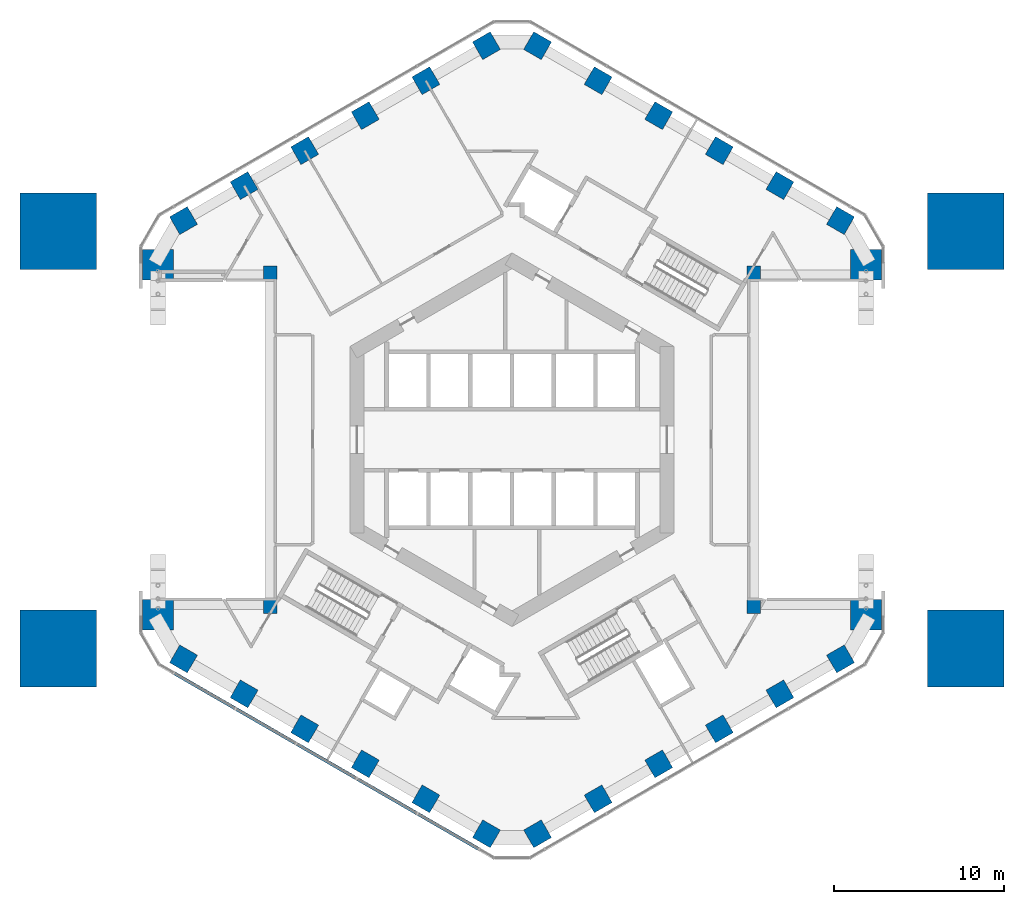
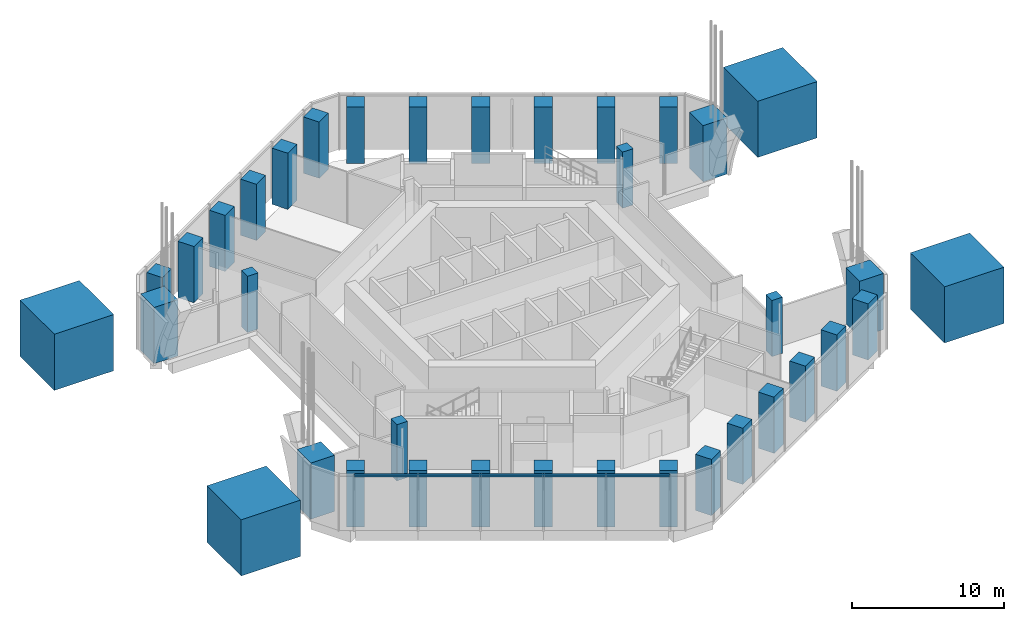
# One storey, part 1 of 14: 36 columns, 1 member, 1 element without a shape of its own.
"""IFC4 building model written with IfcOpenShell, lengths in metres."""

from ifc_helpers import new_model, si_unit, direction, frame, origin, origin_2d, place, context, subcontext, project, spatial, rectangle, extrude, material, layer, layer_set, material_profile, profile_set, type_object, element, aggregate, save


model = new_model("IFC4")

# Units and contexts
model_context = context("Model", 3, precision=1e-05, world=origin(), true_north=direction((0.0, 1.0)))
body_context = subcontext(model_context, "Body", "Model", "MODEL_VIEW")
ifc_project = project(units=[si_unit("LENGTHUNIT", "METRE"), si_unit("AREAUNIT", "SQUARE_METRE"), si_unit("VOLUMEUNIT", "CUBIC_METRE"), si_unit("PLANEANGLEUNIT", "RADIAN"), si_unit("MASSUNIT", "GRAM", prefix="KILO")], contexts=[model_context])

# Site, building, storey
site_placement = place(None, origin())
site = spatial("IfcSite", under=ifc_project, at=site_placement, CompositionType="ELEMENT")
building_placement = place(site_placement, origin())
building = spatial("IfcBuilding", under=site, at=building_placement, Name="Ayvan Gate Tower", CompositionType="ELEMENT")
storey_placement = place(building_placement, frame((0.0, 0.0, 7.0)))
storey = spatial("IfcBuildingStorey", under=building, at=storey_placement, Name="L01", CompositionType="ELEMENT", Elevation=7.0)

# Columns
ifc_material_1 = material(Name="Concrete C70/85", Category="concrete")
ifc_material_profile_1 = material_profile(ifc_material_1, rectangle(XDim=0.800048828125, YDim=0.800048828125, at=origin_2d()), Name="RC 800x800")
ifc_profile_set_1 = profile_set([ifc_material_profile_1], Name="Concrete C70/85")
column_type_1 = type_object("IfcColumnType", Name="Opening jamb column RC 800x800 C70/85", PredefinedType="COLUMN", material=ifc_profile_set_1)
for number, where, z_axis, x_axis, name in (
    (1, (14.199951171875, -9.7978515625, 0.0), (0.0, 0.0, 1.0), (1.0, 0.0, 0.0), "JC-L01-0-A"),
    (2, (14.199951171875, 9.7978515625, 0.0), (0.0, 0.0, 1.0), (1.0, 0.0, 0.0), "JC-L01-0-B"),
    (3, (-14.199951171875, 9.7978515625, 0.0), (0.0, 0.0, 1.0), (-1.0, 0.0, 0.0), "JC-L01-3-A"),
    (4, (-14.199951171875, -9.7978515625, 0.0), (0.0, 0.0, 1.0), (-1.0, 0.0, 0.0), "JC-L01-3-B"),
):
    element("IfcColumn", number, at=place(storey_placement, frame(where, z_axis=z_axis, x_axis=x_axis)), inside=storey, type_object=column_type_1, Name=name, PredefinedType="COLUMN", context=body_context, shape_type="SweptSolid", body=[
        extrude(rectangle(XDim=0.800048828125, YDim=0.800048828125, at=origin_2d()), origin(), (0.0, 0.0, 1.0), 4.5),
    ])
ifc_material_2 = material(Name="Concrete C60/75", Category="concrete")
ifc_material_profile_2 = material_profile(ifc_material_2, rectangle(XDim=4.5, YDim=4.5, at=origin_2d()), Name="RC 4500x4500")
ifc_profile_set_2 = profile_set([ifc_material_profile_2], Name="Concrete C60/75")
column_type_2 = type_object("IfcColumnType", Name="Portal pier RC 4500x4500 C60/75", PredefinedType="COLUMN", material=ifc_profile_set_2)
for number, where, z_axis, x_axis, name in (
    (5, (26.634521484375, 12.25, 0.0), (0.0, 0.0, 1.0), (1.0, 0.0, 0.0), "Portal pier PP-E-N L01"),
    (6, (26.634521484375, -12.25, 0.0), (0.0, 0.0, 1.0), (1.0, 0.0, 0.0), "Portal pier PP-E-S L01"),
    (7, (-26.634521484375, -12.25, 0.0), (0.0, 0.0, 1.0), (-1.0, 0.0, 0.0), "Portal pier PP-W-S L01"),
    (8, (-26.634521484375, 12.25, 0.0), (0.0, 0.0, 1.0), (-1.0, 0.0, 0.0), "Portal pier PP-W-N L01"),
):
    element("IfcColumn", number, at=place(storey_placement, frame(where, z_axis=z_axis, x_axis=x_axis)), inside=storey, type_object=column_type_2, Name=name, PredefinedType="COLUMN", context=body_context, shape_type="SweptSolid", body=[
        extrude(rectangle(XDim=4.5, YDim=4.5, at=origin_2d()), origin(), (0.0, 0.0, 1.0), 4.5),
    ])
ifc_material_profile_3 = material_profile(ifc_material_1, rectangle(XDim=1.199951171875, YDim=1.199951171875, at=origin_2d()), Name="RC 1200x1200")
ifc_profile_set_3 = profile_set([ifc_material_profile_3], Name="Concrete C70/85")
column_type_3 = type_object("IfcColumnType", Name="Tube column RC 1200x1200 C70/85", PredefinedType="COLUMN", material=ifc_profile_set_3)
for number, where, z_axis, x_axis, name in (
    (9, (19.28466796875, 12.865966796875, 0.0), (0.0, 0.0, 1.0), (0.5, 0.866025403784, 0.0), "C-T1-0-L01"),
    (10, (15.727783203125, 14.919677734375, 0.0), (0.0, 0.0, 1.0), (0.5, 0.866025403784, 0.0), "C-T1-1-L01"),
    (11, (12.170654296875, 16.97314453125, 0.0), (0.0, 0.0, 1.0), (0.5, 0.866025403784, 0.0), "C-T1-2-L01"),
    (12, (8.61376953125, 19.02685546875, 0.0), (0.0, 0.0, 1.0), (0.5, 0.866025403784, 0.0), "C-T1-3-L01"),
    (13, (5.056884765625, 21.080322265625, 0.0), (0.0, 0.0, 1.0), (0.5, 0.866025403784, 0.0), "C-T1-4-L01"),
    (14, (1.5, 23.134033203125, 0.0), (0.0, 0.0, 1.0), (0.5, 0.866025403784, 0.0), "C-T1-5-L01"),
    (15, (-1.5, 23.134033203125, 0.0), (0.0, 0.0, 1.0), (-0.5, 0.866025403784, 0.0), "C-T2-0-L01"),
    (16, (-5.056884765625, 21.080322265625, 0.0), (0.0, 0.0, 1.0), (-0.5, 0.866025403784, 0.0), "C-T2-1-L01"),
    (17, (-8.61376953125, 19.02685546875, 0.0), (0.0, 0.0, 1.0), (-0.5, 0.866025403784, 0.0), "C-T2-2-L01"),
    (18, (-12.170654296875, 16.97314453125, 0.0), (0.0, 0.0, 1.0), (-0.5, 0.866025403784, 0.0), "C-T2-3-L01"),
    (19, (-15.727783203125, 14.919677734375, 0.0), (0.0, 0.0, 1.0), (-0.5, 0.866025403784, 0.0), "C-T2-4-L01"),
    (20, (-19.28466796875, 12.865966796875, 0.0), (0.0, 0.0, 1.0), (-0.5, 0.866025403784, 0.0), "C-T2-5-L01"),
    (21, (-19.28466796875, -12.865966796875, 0.0), (0.0, 0.0, 1.0), (-0.5, -0.866025403784, 0.0), "C-T4-0-L01"),
    (22, (-15.727783203125, -14.919677734375, 0.0), (0.0, 0.0, 1.0), (-0.5, -0.866025403784, 0.0), "C-T4-1-L01"),
    (23, (-12.170654296875, -16.97314453125, 0.0), (0.0, 0.0, 1.0), (-0.5, -0.866025403784, 0.0), "C-T4-2-L01"),
    (24, (-8.61376953125, -19.02685546875, 0.0), (0.0, 0.0, 1.0), (-0.5, -0.866025403784, 0.0), "C-T4-3-L01"),
    (25, (-5.056884765625, -21.080322265625, 0.0), (0.0, 0.0, 1.0), (-0.5, -0.866025403784, 0.0), "C-T4-4-L01"),
    (26, (-1.5, -23.134033203125, 0.0), (0.0, 0.0, 1.0), (-0.5, -0.866025403784, 0.0), "C-T4-5-L01"),
    (27, (1.5, -23.134033203125, 0.0), (0.0, 0.0, 1.0), (0.5, -0.866025403784, 0.0), "C-T5-0-L01"),
    (28, (5.056884765625, -21.080322265625, 0.0), (0.0, 0.0, 1.0), (0.5, -0.866025403784, 0.0), "C-T5-1-L01"),
    (29, (8.61376953125, -19.02685546875, 0.0), (0.0, 0.0, 1.0), (0.5, -0.866025403784, 0.0), "C-T5-2-L01"),
    (30, (12.170654296875, -16.97314453125, 0.0), (0.0, 0.0, 1.0), (0.5, -0.866025403784, 0.0), "C-T5-3-L01"),
    (31, (15.727783203125, -14.919677734375, 0.0), (0.0, 0.0, 1.0), (0.5, -0.866025403784, 0.0), "C-T5-4-L01"),
    (32, (19.28466796875, -12.865966796875, 0.0), (0.0, 0.0, 1.0), (0.5, -0.866025403784, 0.0), "C-T5-5-L01"),
):
    element("IfcColumn", number, at=place(storey_placement, frame(where, z_axis=z_axis, x_axis=x_axis)), inside=storey, type_object=column_type_3, Name=name, PredefinedType="COLUMN", context=body_context, shape_type="SweptSolid", body=[
        extrude(rectangle(XDim=1.199951171875, YDim=1.199951171875, at=origin_2d()), origin(), (0.0, 0.0, 1.0), 4.5),
    ])
ifc_material_profile_4 = material_profile(ifc_material_1, rectangle(XDim=1.800048828125, YDim=1.800048828125, at=origin_2d()), Name="RC 1800x1800")
ifc_profile_set_4 = profile_set([ifc_material_profile_4], Name="Concrete C70/85")
column_type_4 = type_object("IfcColumnType", Name="Tube column RC 1800x1800 C70/85", PredefinedType="COLUMN", material=ifc_profile_set_4)
for number, where, z_axis, x_axis, name in (
    (33, (20.78466796875, -10.26806640625, 0.0), (0.0, 0.0, 1.0), (1.0, 0.0, 0.0), "C-T0-0-L01"),
    (34, (20.78466796875, 10.26806640625, 0.0), (0.0, 0.0, 1.0), (1.0, 0.0, 0.0), "C-T0-5-L01"),
    (35, (-20.78466796875, 10.26806640625, 0.0), (0.0, 0.0, 1.0), (-1.0, 0.0, 0.0), "C-T3-0-L01"),
    (36, (-20.78466796875, -10.26806640625, 0.0), (0.0, 0.0, 1.0), (-1.0, 0.0, 0.0), "C-T3-5-L01"),
):
    element("IfcColumn", number, at=place(storey_placement, frame(where, z_axis=z_axis, x_axis=x_axis)), inside=storey, type_object=column_type_4, Name=name, PredefinedType="COLUMN", context=body_context, shape_type="SweptSolid", body=[
        extrude(rectangle(XDim=1.800048828125, YDim=1.800048828125, at=origin_2d()), origin(), (0.0, 0.0, 1.0), 4.5),
    ])

# Curtain wall, member
ifc_material_3 = material(Name="Bronze anodised aluminium", Category="aluminium")
ifc_layer = layer(ifc_material_3, 0.199951171875)
ifc_layer_set = layer_set([ifc_layer], Name="Bronze anodised aluminium")
curtain_wall_type = type_object("IfcCurtainWallType", Name="Stick curtain wall CW-3", PredefinedType="NOTDEFINED", material=ifc_layer_set)
curtain_wall_placement = place(storey_placement, origin())
curtain_wall = element("IfcCurtainWall", 37, at=curtain_wall_placement, inside=storey, type_object=curtain_wall_type, Name="Stick curtain wall CW-3 L01", PredefinedType="NOTDEFINED")
ifc_material_profile_5 = material_profile(ifc_material_3, rectangle(XDim=0.199951171875, YDim=0.159912109375, at=origin_2d()), Name="Stick curtain wall CW-3 transom 200 x 160")
ifc_profile_set_5 = profile_set([ifc_material_profile_5], Name="Bronze anodised aluminium")
member_type = type_object("IfcMemberType", Name="Stick curtain wall CW-3 transom 200 x 160", PredefinedType="USERDEFINED", material=ifc_profile_set_5)
member_placement = place(storey_placement, frame((-19.855224609375, -13.691162109375, 4.419921875), z_axis=(0.866025115303, -0.500000499665, 0.0), x_axis=(0.500000499665, 0.866025115303, 0.0)))
member = element("IfcMember", 38, at=member_placement, type_object=member_type, Name="CW-3 transom 1", ObjectType="TRANSOM", PredefinedType="USERDEFINED", context=body_context, shape_type="SweptSolid", body=[
    extrude(rectangle(XDim=0.199951171875, YDim=0.159912109375, at=origin_2d()), origin(), (0.0, 0.0, 1.0), 20.69921875),
])
aggregate(curtain_wall, [member])

save(model, "model.ifc")
